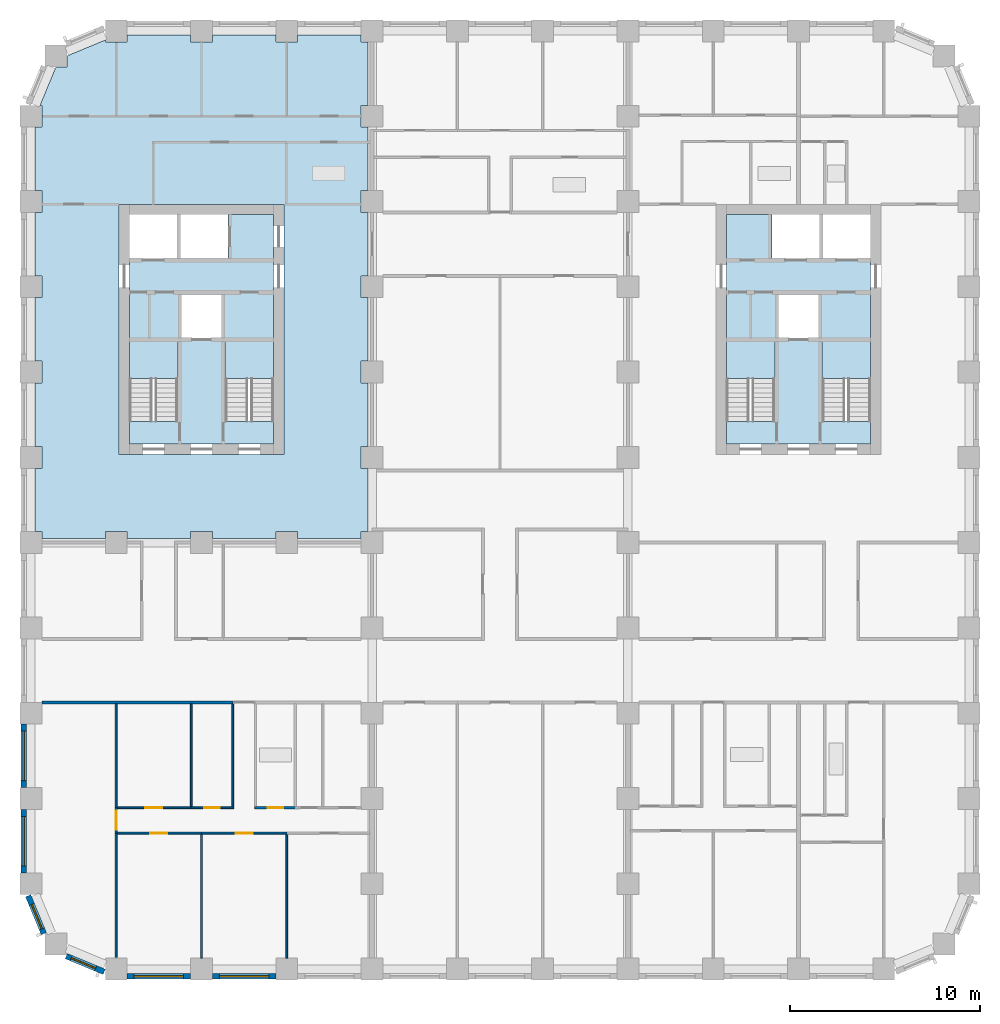
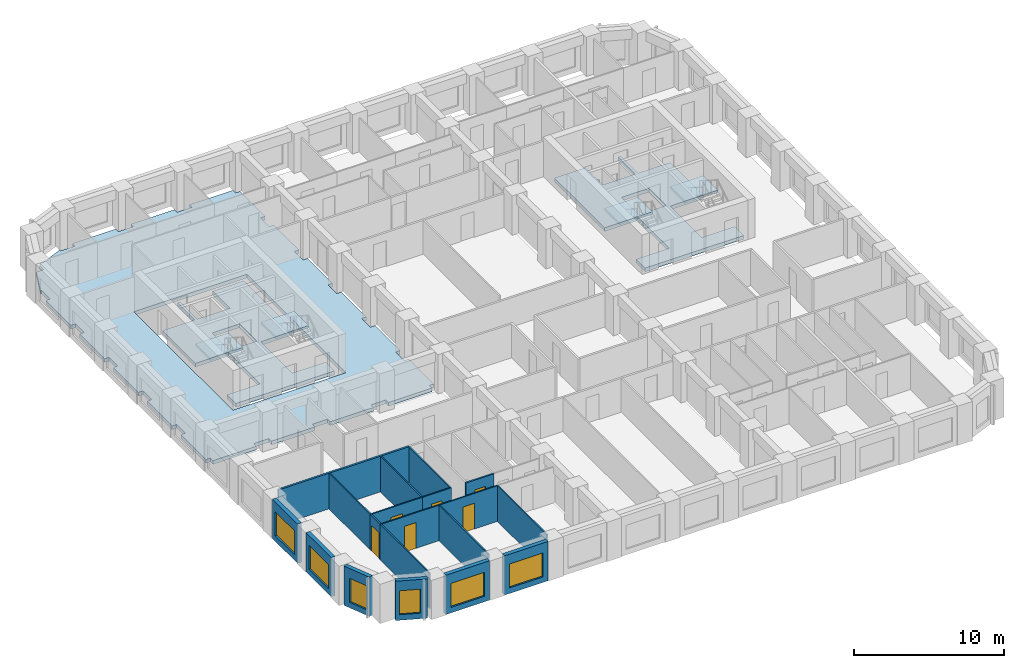
# One storey, part 2 of 13: 19 walls, 7 slabs, 6 doors, 6 windows, 12 openings, 4 elements without a shape of their own.
"""IFC4 building model written with IfcOpenShell, lengths in metres."""

from ifc_helpers import new_model, si_unit, direction, frame, frame_2d, origin, place, context, subcontext, project, spatial, polyline, rectangle, outline, extrude, material, layer, layer_set, type_object, element, fill, aggregate, save


model = new_model("IFC4")

# Units and contexts
model_context = context("Model", 3, precision=1e-05, world=origin(), true_north=direction((0.0, 1.0)))
body_context = subcontext(model_context, "Body", "Model", "MODEL_VIEW")
ifc_project = project(units=[si_unit("LENGTHUNIT", "METRE"), si_unit("AREAUNIT", "SQUARE_METRE"), si_unit("VOLUMEUNIT", "CUBIC_METRE"), si_unit("PLANEANGLEUNIT", "RADIAN"), si_unit("MASSUNIT", "GRAM", prefix="KILO")], contexts=[model_context])

# Site, building, storey
site_placement = place(None, origin())
site = spatial("IfcSite", under=ifc_project, at=site_placement, CompositionType="ELEMENT")
building_placement = place(site_placement, origin())
building = spatial("IfcBuilding", under=site, at=building_placement, Name="Girih Gate Residences", CompositionType="ELEMENT")
storey_placement = place(building_placement, frame((0.0, 0.0, 86.39990234375)))
storey = spatial("IfcBuildingStorey", under=building, at=storey_placement, Name="L23", CompositionType="ELEMENT", Elevation=86.39990234375)

# Slabs
ifc_material_1 = material(Name="Concrete C40/50", Category="concrete")
ifc_layer_1 = layer(ifc_material_1, 0.300048828125)
ifc_layer_set_1 = layer_set([ifc_layer_1], Name="Core floor slab 300")
slab_type_1 = type_object("IfcSlabType", Name="Core floor slab 300", PredefinedType="FLOOR", material=ifc_layer_set_1)
slab_1_placement = place(storey_placement, frame((0.0, 0.0, -0.2998046875)))
element("IfcSlab", 1, at=slab_1_placement, inside=storey, type_object=slab_type_1, Name="L23 W core floor", PredefinedType="FLOOR", context=body_context, shape_type="SweptSolid", body=[
    extrude(outline(polyline([(12.800048828125, 27.699951171875), (5.199951171875, 27.699951171875), (5.199951171875, 28.900634765625), (7.75, 28.900634765625), (7.75, 33.10009765625), (5.199951171875, 33.10009765625), (5.199951171875, 37.5), (7.699951171875, 37.5), (7.699951171875, 39.800048828125), (7.89990234375, 39.800048828125), (7.89990234375, 37.5), (10.39990234375, 37.5), (10.39990234375, 39.800048828125), (12.800048828125, 39.800048828125), (12.800048828125, 33.10009765625), (10.25, 33.10009765625), (10.25, 28.900634765625), (12.800048828125, 28.900634765625), (12.800048828125, 27.699951171875)]), holes=[polyline([(7.949951171875, 33.300048828125), (10.050048828125, 33.300048828125), (10.050048828125, 35.60009765625), (7.949951171875, 35.60009765625), (7.949951171875, 33.300048828125)])]), origin(), (0.0, 0.0, 1.0), 0.2998046875),
])
slab_2_placement = place(storey_placement, frame((0.0, 0.0, -0.2998046875)))
element("IfcSlab", 2, at=slab_2_placement, inside=storey, type_object=slab_type_1, Name="L23 E core floor", PredefinedType="FLOOR", context=body_context, shape_type="SweptSolid", body=[
    extrude(outline(polyline([(44.300048828125, 27.699951171875), (36.699951171875, 27.699951171875), (36.699951171875, 28.900634765625), (39.25, 28.900634765625), (39.25, 33.10009765625), (36.699951171875, 33.10009765625), (36.699951171875, 39.800048828125), (39.10009765625, 39.800048828125), (39.10009765625, 37.5), (41.60009765625, 37.5), (41.60009765625, 39.800048828125), (41.800048828125, 39.800048828125), (41.800048828125, 37.5), (44.300048828125, 37.5), (44.300048828125, 33.10009765625), (41.75, 33.10009765625), (41.75, 28.900634765625), (44.300048828125, 28.900634765625), (44.300048828125, 27.699951171875)]), holes=[polyline([(39.449951171875, 33.300048828125), (41.550048828125, 33.300048828125), (41.550048828125, 35.60009765625), (39.449951171875, 35.60009765625), (39.449951171875, 33.300048828125)])]), origin(), (0.0, 0.0, 1.0), 0.2998046875),
])
ifc_layer_2 = layer(ifc_material_1, 0.300048828125)
ifc_layer_set_2 = layer_set([ifc_layer_2], Name="Floor slab PT 300 Concrete C40/50")
slab_type_2 = type_object("IfcSlabType", Name="Floor slab PT 300 Concrete C40/50", PredefinedType="FLOOR", material=ifc_layer_set_2)
slab_3_placement = place(storey_placement, frame((0.0, 0.0, -0.2998046875)))
element("IfcSlab", 3, at=slab_3_placement, inside=storey, type_object=slab_type_2, Name="Floor slab L23 3", PredefinedType="FLOOR", context=body_context, shape_type="SweptSolid", body=[
    extrude(outline(polyline([(0.22509765625, 26.425048828125), (0.22509765625, 23.074951171875), (0.574951171875, 23.074951171875), (0.574951171875, 22.72509765625), (3.925048828125, 22.72509765625), (3.925048828125, 23.074951171875), (5.074951171875, 23.074951171875), (5.074951171875, 22.72509765625), (8.425048828125, 22.72509765625), (8.425048828125, 23.074951171875), (9.574951171875, 23.074951171875), (9.574951171875, 22.72509765625), (12.925048828125, 22.72509765625), (12.925048828125, 23.074951171875), (14.074951171875, 23.074951171875), (14.074951171875, 22.72509765625), (17.425048828125, 22.72509765625), (17.425048828125, 23.074951171875), (17.77490234375, 23.074951171875), (17.77490234375, 26.425048828125), (17.425048828125, 26.425048828125), (17.425048828125, 27.574951171875), (17.77490234375, 27.574951171875), (17.77490234375, 30.925048828125), (17.425048828125, 30.925048828125), (17.425048828125, 32.074951171875), (17.77490234375, 32.074951171875), (17.77490234375, 35.425048828125), (17.425048828125, 35.425048828125), (17.425048828125, 36.574951171875), (17.77490234375, 36.574951171875), (17.77490234375, 39.925048828125), (17.425048828125, 39.925048828125), (17.425048828125, 41.074951171875), (17.77490234375, 41.074951171875), (17.77490234375, 44.425048828125), (17.425048828125, 44.425048828125), (17.425048828125, 45.574951171875), (17.77490234375, 45.574951171875), (17.77490234375, 48.925048828125), (17.425048828125, 48.925048828125), (17.425048828125, 49.27490234375), (14.074951171875, 49.27490234375), (14.074951171875, 48.925048828125), (12.925048828125, 48.925048828125), (12.925048828125, 49.27490234375), (9.574951171875, 49.27490234375), (9.574951171875, 48.925048828125), (8.425048828125, 48.925048828125), (8.425048828125, 49.27490234375), (5.074951171875, 49.27490234375), (5.074951171875, 48.925048828125), (3.925048828125, 48.925048828125), (3.925048828125, 49.018310546875), (1.89306640625, 48.176513671875), (1.89306640625, 47.60693359375), (1.323486328125, 47.60693359375), (0.481689453125, 45.574951171875), (0.574951171875, 45.574951171875), (0.574951171875, 44.425048828125), (0.22509765625, 44.425048828125), (0.22509765625, 41.074951171875), (0.574951171875, 41.074951171875), (0.574951171875, 39.925048828125), (0.22509765625, 39.925048828125), (0.22509765625, 36.574951171875), (0.574951171875, 36.574951171875), (0.574951171875, 35.425048828125), (0.22509765625, 35.425048828125), (0.22509765625, 32.074951171875), (0.574951171875, 32.074951171875), (0.574951171875, 30.925048828125), (0.22509765625, 30.925048828125), (0.22509765625, 27.574951171875), (0.574951171875, 27.574951171875), (0.574951171875, 26.425048828125), (0.22509765625, 26.425048828125)]), holes=[polyline([(13.35009765625, 40.35009765625), (13.35009765625, 27.14990234375), (4.64990234375, 27.14990234375), (4.64990234375, 40.35009765625), (13.35009765625, 40.35009765625)])]), origin(), (0.0, 0.0, 1.0), 0.2998046875),
])

# Stair, slab
stair_type = type_object("IfcStairType", Name="Exit stair", PredefinedType="HALF_TURN_STAIR", material=ifc_material_1)
stair_1_placement = place(storey_placement, origin())
stair_1 = element("IfcStair", 4, at=stair_1_placement, inside=storey, type_object=stair_type, Name="L23 Exit Stair ST-W1", PredefinedType="HALF_TURN_STAIR")
ifc_layer_3 = layer(ifc_material_1, 0.199951171875)
ifc_layer_set_3 = layer_set([ifc_layer_3], Name="Stair landing 200")
slab_type_3 = type_object("IfcSlabType", Name="Stair landing 200", PredefinedType="LANDING", material=ifc_layer_set_3)
slab_4_placement = place(storey_placement, frame((0.0, 0.0, 1.400146484375)))
slab_4 = element("IfcSlab", 5, at=slab_4_placement, type_object=slab_type_3, Name="ST-W1 landing 1", PredefinedType="LANDING", context=body_context, shape_type="SweptSolid", body=[
    extrude(outline(polyline([(7.75, 31.14990234375), (7.75, 33.10009765625), (5.199951171875, 33.10009765625), (5.199951171875, 31.14990234375), (7.75, 31.14990234375)])), origin(), (0.0, 0.0, 1.0), 0.199951171875),
])
aggregate(stair_1, [slab_4])

stair_2_placement = place(storey_placement, origin())
stair_2 = element("IfcStair", 6, at=stair_2_placement, inside=storey, type_object=stair_type, Name="L23 Exit Stair ST-W2", PredefinedType="HALF_TURN_STAIR")
slab_5_placement = place(storey_placement, frame((0.0, 0.0, 1.400146484375)))
slab_5 = element("IfcSlab", 7, at=slab_5_placement, type_object=slab_type_3, Name="ST-W2 landing 1", PredefinedType="LANDING", context=body_context, shape_type="SweptSolid", body=[
    extrude(outline(polyline([(12.800048828125, 31.14990234375), (12.800048828125, 33.10009765625), (10.25, 33.10009765625), (10.25, 31.14990234375), (12.800048828125, 31.14990234375)])), origin(), (0.0, 0.0, 1.0), 0.199951171875),
])
aggregate(stair_2, [slab_5])

stair_3_placement = place(storey_placement, origin())
stair_3 = element("IfcStair", 8, at=stair_3_placement, inside=storey, type_object=stair_type, Name="L23 Exit Stair ST-E1", PredefinedType="HALF_TURN_STAIR")
slab_6_placement = place(storey_placement, frame((0.0, 0.0, 1.400146484375)))
slab_6 = element("IfcSlab", 9, at=slab_6_placement, type_object=slab_type_3, Name="ST-E1 landing 1", PredefinedType="LANDING", context=body_context, shape_type="SweptSolid", body=[
    extrude(outline(polyline([(44.300048828125, 31.14990234375), (44.300048828125, 33.10009765625), (41.75, 33.10009765625), (41.75, 31.14990234375), (44.300048828125, 31.14990234375)])), origin(), (0.0, 0.0, 1.0), 0.199951171875),
])
aggregate(stair_3, [slab_6])

stair_4_placement = place(storey_placement, origin())
stair_4 = element("IfcStair", 10, at=stair_4_placement, inside=storey, type_object=stair_type, Name="L23 Exit Stair ST-E2", PredefinedType="HALF_TURN_STAIR")
slab_7_placement = place(storey_placement, frame((0.0, 0.0, 1.400146484375)))
slab_7 = element("IfcSlab", 11, at=slab_7_placement, type_object=slab_type_3, Name="ST-E2 landing 1", PredefinedType="LANDING", context=body_context, shape_type="SweptSolid", body=[
    extrude(outline(polyline([(39.25, 31.14990234375), (39.25, 33.10009765625), (36.699951171875, 33.10009765625), (36.699951171875, 31.14990234375), (39.25, 31.14990234375)])), origin(), (0.0, 0.0, 1.0), 0.199951171875),
])
aggregate(stair_4, [slab_7])

# Walls
ifc_material_2 = material(Name="Gypsum board on steel studs", Category="steel")
ifc_layer_4 = layer(ifc_material_2, 0.14990234375)
ifc_layer_set_4 = layer_set([ifc_layer_4], Name="Compartment wall 150 mm")
wall_type_1 = type_object("IfcWallType", Name="Compartment wall 150 mm", PredefinedType="PARTITIONING", material=ifc_layer_set_4)
wall_1_placement = place(storey_placement, frame((0.574951171875, 14.074951171875, 0.0), z_axis=(0.0, 0.0, 1.0), x_axis=(1.0, 0.0, 0.0)))
element("IfcWall", 12, at=wall_1_placement, inside=storey, type_object=wall_type_1, Name="L23 partition", PredefinedType="PARTITIONING", context=body_context, shape_type="SweptSolid", body=[
    extrude(rectangle(XDim=10.074951171875, YDim=0.14990234375, at=frame_2d((5.03759765625, 0.0))), origin(), (0.0, 0.0, 1.0), 2.900146484375),
])
ifc_layer_5 = layer(ifc_material_2, 0.10009765625)
ifc_layer_set_5 = layer_set([ifc_layer_5], Name="Partition 100 mm")
wall_type_2 = type_object("IfcWallType", Name="Partition 100 mm", PredefinedType="PARTITIONING", material=ifc_layer_set_5)
wall_2_placement = place(storey_placement, frame((9.0, 0.574951171875, 0.0), z_axis=(0.0, 0.0, 1.0), x_axis=(0.0, 1.0, 0.0)))
element("IfcWall", 13, at=wall_2_placement, inside=storey, type_object=wall_type_2, Name="L23 partition", PredefinedType="PARTITIONING", context=body_context, shape_type="SweptSolid", body=[
    extrude(rectangle(XDim=6.550048828125, YDim=0.10009765625, at=frame_2d((3.27490234375, 0.0))), origin(), (0.0, 0.0, 1.0), 2.900146484375),
])

# Wall, opening, door
wall_3_placement = place(storey_placement, frame((9.0, 7.175048828125, 0.0), z_axis=(0.0, 0.0, 1.0), x_axis=(-1.0, 0.0, 0.0)))
wall_3 = element("IfcWall", 14, at=wall_3_placement, inside=storey, type_object=wall_type_2, Name="L23 partition", PredefinedType="PARTITIONING", context=body_context, shape_type="SweptSolid", body=[
    extrude(rectangle(XDim=4.449951171875, YDim=0.10009765625, at=frame_2d((2.22509765625, 0.0))), origin(), (0.0, 0.0, 1.0), 2.900146484375),
])
opening_1_placement = place(wall_3_placement, frame((1.800048828125, 0.0, 0.0)))
opening_1 = element("IfcOpeningElement", 15, at=opening_1_placement, cuts=wall_3, Name="Opening A23-002", PredefinedType="OPENING", context=body_context, shape_type="SweptSolid", body=[
    extrude(rectangle(XDim=0.89990234375, YDim=2.10009765625, at=frame_2d((0.449951171875, 1.050048828125))), frame((0.0, 0.06005859375, 0.0), z_axis=(0.0, -1.0, 0.0), x_axis=(1.0, 0.0, 0.0)), (0.0, 0.0, 1.0), 0.1201171875),
])
ifc_material_3 = material(Name="Timber", Category="wood")
door_type_1 = type_object("IfcDoorType", Name="Bedroom door 900x2100", OperationType="NOTDEFINED", PredefinedType="DOOR", material=ifc_material_3)
door_1_placement = place(opening_1_placement, origin())
door_1 = element("IfcDoor", 16, at=door_1_placement, inside=storey, type_object=door_type_1, Name="Door A23-002", OperationType="SINGLE_SWING_RIGHT", OverallHeight=2.10009765625, OverallWidth=0.89990234375, PredefinedType="DOOR", context=body_context, shape_type="SweptSolid", body=[
    extrude(rectangle(XDim=0.89990234375, YDim=2.10009765625, at=frame_2d((0.449951171875, 1.050048828125))), frame((0.0, 0.02490234375, 0.0), z_axis=(0.0, -1.0, 0.0), x_axis=(1.0, 0.0, 0.0)), (0.0, 0.0, 1.0), 0.050048828125),
])
fill(opening_1, door_1)

# Walls
wall_4_placement = place(storey_placement, frame((4.5, 0.622314453125, 0.0), z_axis=(0.0, 0.0, 1.0), x_axis=(0.0, 1.0, 0.0)))
element("IfcWall", 17, at=wall_4_placement, inside=storey, type_object=wall_type_2, Name="L23 partition", PredefinedType="PARTITIONING", context=body_context, shape_type="SweptSolid", body=[
    extrude(rectangle(XDim=6.552734375, YDim=0.10009765625, at=frame_2d((3.2763671875, 0.0))), origin(), (0.0, 0.0, 1.0), 2.900146484375),
])
wall_5_placement = place(storey_placement, frame((13.5, 0.574951171875, 0.0), z_axis=(0.0, 0.0, 1.0), x_axis=(0.0, 1.0, 0.0)))
element("IfcWall", 18, at=wall_5_placement, inside=storey, type_object=wall_type_2, Name="L23 partition", PredefinedType="PARTITIONING", context=body_context, shape_type="SweptSolid", body=[
    extrude(rectangle(XDim=6.550048828125, YDim=0.10009765625, at=frame_2d((3.27490234375, 0.0))), origin(), (0.0, 0.0, 1.0), 2.900146484375),
])

# Wall, opening, door
wall_6_placement = place(storey_placement, frame((13.5, 7.175048828125, 0.0), z_axis=(0.0, 0.0, 1.0), x_axis=(-1.0, 0.0, 0.0)))
wall_6 = element("IfcWall", 19, at=wall_6_placement, inside=storey, type_object=wall_type_2, Name="L23 partition", PredefinedType="PARTITIONING", context=body_context, shape_type="SweptSolid", body=[
    extrude(rectangle(XDim=4.5, YDim=0.10009765625, at=frame_2d((2.25, 0.0))), origin(), (0.0, 0.0, 1.0), 2.900146484375),
])
opening_2_placement = place(wall_6_placement, frame((1.800048828125, 0.0, 0.0)))
opening_2 = element("IfcOpeningElement", 20, at=opening_2_placement, cuts=wall_6, Name="Opening A23-003", PredefinedType="OPENING", context=body_context, shape_type="SweptSolid", body=[
    extrude(rectangle(XDim=0.89990234375, YDim=2.10009765625, at=frame_2d((0.449951171875, 1.050048828125))), frame((0.0, 0.06005859375, 0.0), z_axis=(0.0, -1.0, 0.0), x_axis=(1.0, 0.0, 0.0)), (0.0, 0.0, 1.0), 0.1201171875),
])
door_2_placement = place(opening_2_placement, origin())
door_2 = element("IfcDoor", 21, at=door_2_placement, inside=storey, type_object=door_type_1, Name="Door A23-003", OperationType="SINGLE_SWING_LEFT", OverallHeight=2.10009765625, OverallWidth=0.89990234375, PredefinedType="DOOR", context=body_context, shape_type="SweptSolid", body=[
    extrude(rectangle(XDim=0.89990234375, YDim=2.10009765625, at=frame_2d((0.449951171875, 1.050048828125))), frame((0.0, 0.02490234375, 0.0), z_axis=(0.0, -1.0, 0.0), x_axis=(1.0, 0.0, 0.0)), (0.0, 0.0, 1.0), 0.050048828125),
])
fill(opening_2, door_2)

wall_7_placement = place(storey_placement, frame((4.550048828125, 8.514892578125, 0.0), z_axis=(0.0, 0.0, 1.0), x_axis=(1.0, 0.0, 0.0)))
wall_7 = element("IfcWall", 22, at=wall_7_placement, inside=storey, type_object=wall_type_2, Name="L23 partition", PredefinedType="PARTITIONING", context=body_context, shape_type="SweptSolid", body=[
    extrude(rectangle(XDim=3.9130859375, YDim=0.10009765625, at=frame_2d((1.95654296875, 0.0))), origin(), (0.0, 0.0, 1.0), 2.900146484375),
])
opening_3_placement = place(wall_7_placement, frame((1.481689453125, 0.0, 0.0)))
opening_3 = element("IfcOpeningElement", 23, at=opening_3_placement, cuts=wall_7, Name="Opening A23-006", PredefinedType="OPENING", context=body_context, shape_type="SweptSolid", body=[
    extrude(rectangle(XDim=0.89990234375, YDim=2.10009765625, at=frame_2d((0.449951171875, 1.050048828125))), frame((0.0, 0.06005859375, 0.0), z_axis=(0.0, -1.0, 0.0), x_axis=(1.0, 0.0, 0.0)), (0.0, 0.0, 1.0), 0.1201171875),
])
door_type_2 = type_object("IfcDoorType", Name="Kitchen door 900x2100", OperationType="NOTDEFINED", PredefinedType="DOOR", material=ifc_material_3)
door_3_placement = place(opening_3_placement, origin())
door_3 = element("IfcDoor", 24, at=door_3_placement, inside=storey, type_object=door_type_2, Name="Door A23-006", OperationType="SINGLE_SWING_LEFT", OverallHeight=2.10009765625, OverallWidth=0.89990234375, PredefinedType="DOOR", context=body_context, shape_type="SweptSolid", body=[
    extrude(rectangle(XDim=0.89990234375, YDim=2.10009765625, at=frame_2d((0.449951171875, 1.050048828125))), frame((0.0, 0.02490234375, 0.0), z_axis=(0.0, -1.0, 0.0), x_axis=(1.0, 0.0, 0.0)), (0.0, 0.0, 1.0), 0.050048828125),
])
fill(opening_3, door_3)

wall_8_placement = place(storey_placement, frame((4.5, 7.175048828125, 0.0), z_axis=(0.0, 0.0, 1.0), x_axis=(0.0, 1.0, 0.0)))
wall_8 = element("IfcWall", 25, at=wall_8_placement, inside=storey, type_object=wall_type_2, Name="L23 partition", PredefinedType="PARTITIONING", context=body_context, shape_type="SweptSolid", body=[
    extrude(rectangle(XDim=1.33984375, YDim=0.10009765625, at=frame_2d((0.669921875, 0.0))), origin(), (0.0, 0.0, 1.0), 2.900146484375),
])
opening_4_placement = place(wall_8_placement, frame((0.169921875, 0.0, 0.0)))
opening_4 = element("IfcOpeningElement", 26, at=opening_4_placement, cuts=wall_8, Name="Opening A23-007", PredefinedType="OPENING", context=body_context, shape_type="SweptSolid", body=[
    extrude(rectangle(XDim=1.0, YDim=2.10009765625, at=frame_2d((0.5, 1.050048828125))), frame((0.0, 0.06005859375, 0.0), z_axis=(0.0, -1.0, 0.0), x_axis=(1.0, 0.0, 0.0)), (0.0, 0.0, 1.0), 0.1201171875),
])
door_type_3 = type_object("IfcDoorType", Name="Living room door 1000x2100", OperationType="NOTDEFINED", PredefinedType="DOOR", material=ifc_material_3)
door_4_placement = place(opening_4_placement, origin())
door_4 = element("IfcDoor", 27, at=door_4_placement, inside=storey, type_object=door_type_3, Name="Door A23-007", OperationType="SINGLE_SWING_LEFT", OverallHeight=2.10009765625, OverallWidth=1.0, PredefinedType="DOOR", context=body_context, shape_type="SweptSolid", body=[
    extrude(rectangle(XDim=1.0, YDim=2.10009765625, at=frame_2d((0.5, 1.050048828125))), frame((0.0, 0.02490234375, 0.0), z_axis=(0.0, -1.0, 0.0), x_axis=(1.0, 0.0, 0.0)), (0.0, 0.0, 1.0), 0.050048828125),
])
fill(opening_4, door_4)

wall_9_placement = place(storey_placement, frame((8.463134765625, 8.514892578125, 0.0), z_axis=(0.0, 0.0, 1.0), x_axis=(1.0, 0.0, 0.0)))
wall_9 = element("IfcWall", 28, at=wall_9_placement, inside=storey, type_object=wall_type_2, Name="L23 partition", PredefinedType="PARTITIONING", context=body_context, shape_type="SweptSolid", body=[
    extrude(rectangle(XDim=2.23681640625, YDim=0.10009765625, at=frame_2d((1.118408203125, 0.0))), origin(), (0.0, 0.0, 1.0), 2.900146484375),
])
opening_5_placement = place(wall_9_placement, frame((0.693359375, 0.0, 0.0)))
opening_5 = element("IfcOpeningElement", 29, at=opening_5_placement, cuts=wall_9, Name="Opening A23-009", PredefinedType="OPENING", context=body_context, shape_type="SweptSolid", body=[
    extrude(rectangle(XDim=0.800048828125, YDim=2.10009765625, at=frame_2d((0.39990234375, 1.050048828125))), frame((0.0, 0.06005859375, 0.0), z_axis=(0.0, -1.0, 0.0), x_axis=(1.0, 0.0, 0.0)), (0.0, 0.0, 1.0), 0.1201171875),
])
door_type_4 = type_object("IfcDoorType", Name="Store door 800x2100", OperationType="NOTDEFINED", PredefinedType="DOOR", material=ifc_material_3)
door_5_placement = place(opening_5_placement, origin())
door_5 = element("IfcDoor", 30, at=door_5_placement, inside=storey, type_object=door_type_4, Name="Door A23-009", OperationType="SINGLE_SWING_LEFT", OverallHeight=2.10009765625, OverallWidth=0.800048828125, PredefinedType="DOOR", context=body_context, shape_type="SweptSolid", body=[
    extrude(rectangle(XDim=0.800048828125, YDim=2.10009765625, at=frame_2d((0.39990234375, 1.050048828125))), frame((0.0, 0.02490234375, 0.0), z_axis=(0.0, -1.0, 0.0), x_axis=(1.0, 0.0, 0.0)), (0.0, 0.0, 1.0), 0.050048828125),
])
fill(opening_5, door_5)

# Walls
wall_10_placement = place(storey_placement, frame((10.64990234375, 8.56494140625, 0.0), z_axis=(0.0, 0.0, 1.0), x_axis=(0.0, 1.0, 0.0)))
element("IfcWall", 31, at=wall_10_placement, inside=storey, type_object=wall_type_2, Name="L23 partition", PredefinedType="PARTITIONING", context=body_context, shape_type="SweptSolid", body=[
    extrude(rectangle(XDim=5.43505859375, YDim=0.10009765625, at=frame_2d((2.717529296875, 0.0))), origin(), (0.0, 0.0, 1.0), 2.900146484375),
])
wall_11_placement = place(storey_placement, frame((4.5, 8.514892578125, 0.0), z_axis=(0.0, 0.0, 1.0), x_axis=(0.0, 1.0, 0.0)))
element("IfcWall", 32, at=wall_11_placement, inside=storey, type_object=wall_type_2, Name="L23 partition", PredefinedType="PARTITIONING", context=body_context, shape_type="SweptSolid", body=[
    extrude(rectangle(XDim=5.485107421875, YDim=0.10009765625, at=frame_2d((2.74267578125, 0.0))), origin(), (0.0, 0.0, 1.0), 2.900146484375),
])
wall_12_placement = place(storey_placement, frame((8.462890625, 8.56494140625, 0.0), z_axis=(0.0, 0.0, 1.0), x_axis=(0.0, 1.0, 0.0)))
element("IfcWall", 33, at=wall_12_placement, inside=storey, type_object=wall_type_2, Name="L23 partition", PredefinedType="PARTITIONING", context=body_context, shape_type="SweptSolid", body=[
    extrude(rectangle(XDim=5.43505859375, YDim=0.10009765625, at=frame_2d((2.717529296875, 0.0))), origin(), (0.0, 0.0, 1.0), 2.900146484375),
])

# Wall, opening, window
ifc_material_4 = material(Name="Precast concrete C50/60", Category="concrete")
ifc_layer_6 = layer(ifc_material_4, 0.080078125, Name="Outer leaf")
ifc_material_5 = material(Name="Rigid PIR insulation")
ifc_layer_7 = layer(ifc_material_5, 0.14990234375, Name="Insulation")
ifc_material_6 = material(Name="Precast concrete C40/50", Category="concrete")
ifc_layer_8 = layer(ifc_material_6, 0.070068359375, Name="Inner leaf")
ifc_layer_set_6 = layer_set([ifc_layer_6, ifc_layer_7, ifc_layer_8], Name="Precast concrete C50/60 external wall 300")
wall_type_3 = type_object("IfcWallType", Name="Precast concrete C50/60 external wall 300", PredefinedType="SOLIDWALL", material=ifc_layer_set_6)
wall_13_placement = place(storey_placement, frame((0.68408203125, 1.86865234375, 0.0), z_axis=(0.0, 0.0, 1.0), x_axis=(-0.382723818695, 0.923862802911, 0.0)))
wall_13 = element("IfcWall", 34, at=wall_13_placement, inside=storey, type_object=wall_type_3, Name="External wall SW0000_0045.0", PredefinedType="SOLIDWALL", context=body_context, shape_type="SweptSolid", body=[
    extrude(rectangle(XDim=2.163818359375, YDim=0.300048828125, at=frame_2d((1.08203125, 0.0))), origin(), (0.0, 0.0, 1.0), 3.2001953125),
])
opening_6_placement = place(wall_13_placement, frame((0.270751953125, 0.0, 0.449951171875)))
opening_6 = element("IfcOpeningElement", 35, at=opening_6_placement, cuts=wall_13, Name="Opening W-2D", PredefinedType="OPENING", context=body_context, shape_type="SweptSolid", body=[
    extrude(rectangle(XDim=1.39990234375, YDim=1.949951171875, at=frame_2d((0.699951171875, 0.97509765625))), frame((0.0, 0.159912109375, 0.0), z_axis=(0.0, -1.0, 0.0), x_axis=(1.0, 0.0, 0.0)), (0.0, 0.0, 1.0), 0.320068359375),
])
ifc_material_7 = material(Name="Double glazing in aluminium frame", Category="aluminium")
window_type_1 = type_object("IfcWindowType", Name="Window W-2D 1400x1950", PartitioningType="SINGLE_PANEL", PredefinedType="WINDOW", material=ifc_material_7)
window_1_placement = place(opening_6_placement, origin())
window_1 = element("IfcWindow", 36, at=window_1_placement, inside=storey, type_object=window_type_1, Name="Window W-2D SW0000_0045.0", OverallHeight=1.949951171875, OverallWidth=1.39990234375, PartitioningType="SINGLE_PANEL", PredefinedType="WINDOW", context=body_context, shape_type="SweptSolid", body=[
    extrude(rectangle(XDim=1.39990234375, YDim=1.949951171875, at=frame_2d((0.699951171875, 0.97509765625))), frame((0.0, 0.030029296875, 0.0), z_axis=(0.0, -1.0, 0.0), x_axis=(1.0, 0.0, 0.0)), (0.0, 0.0, 1.0), 0.06005859375),
])
fill(opening_6, window_1)

wall_14_placement = place(storey_placement, frame((3.86767578125, -0.14404296875, 0.0), z_axis=(0.0, 0.0, 1.0), x_axis=(-0.923862802911, 0.382723818695, 0.0)))
wall_14 = element("IfcWall", 37, at=wall_14_placement, inside=storey, type_object=wall_type_3, Name="External wall SW0013_0013.0", PredefinedType="SOLIDWALL", context=body_context, shape_type="SweptSolid", body=[
    extrude(rectangle(XDim=2.163818359375, YDim=0.300048828125, at=frame_2d((1.08203125, 0.0))), origin(), (0.0, 0.0, 1.0), 3.2001953125),
])
opening_7_placement = place(wall_14_placement, frame((0.492919921875, 0.0, 0.449951171875)))
opening_7 = element("IfcOpeningElement", 38, at=opening_7_placement, cuts=wall_14, Name="Opening W-2D", PredefinedType="OPENING", context=body_context, shape_type="SweptSolid", body=[
    extrude(rectangle(XDim=1.39990234375, YDim=1.949951171875, at=frame_2d((0.699951171875, 0.97509765625))), frame((0.0, 0.159912109375, 0.0), z_axis=(0.0, -1.0, 0.0), x_axis=(1.0, 0.0, 0.0)), (0.0, 0.0, 1.0), 0.320068359375),
])
window_2_placement = place(opening_7_placement, origin())
window_2 = element("IfcWindow", 39, at=window_2_placement, inside=storey, type_object=window_type_1, Name="Window W-2D SW0013_0013.0", OverallHeight=1.949951171875, OverallWidth=1.39990234375, PartitioningType="SINGLE_PANEL", PredefinedType="WINDOW", context=body_context, shape_type="SweptSolid", body=[
    extrude(rectangle(XDim=1.39990234375, YDim=1.949951171875, at=frame_2d((0.699951171875, 0.97509765625))), frame((0.0, 0.030029296875, 0.0), z_axis=(0.0, -1.0, 0.0), x_axis=(1.0, 0.0, 0.0)), (0.0, 0.0, 1.0), 0.06005859375),
])
fill(opening_7, window_2)

wall_15_placement = place(storey_placement, frame((8.425048828125, -0.375, 0.0), z_axis=(0.0, 0.0, 1.0), x_axis=(-1.0, 0.0, 0.0)))
wall_15 = element("IfcWall", 40, at=wall_15_placement, inside=storey, type_object=wall_type_3, Name="External wall S0045_0000.0", PredefinedType="SOLIDWALL", context=body_context, shape_type="SweptSolid", body=[
    extrude(rectangle(XDim=3.35009765625, YDim=0.300048828125, at=frame_2d((1.675048828125, 0.0))), origin(), (0.0, 0.0, 1.0), 3.2001953125),
])
opening_8_placement = place(wall_15_placement, frame((0.375, 0.0, 0.449951171875)))
opening_8 = element("IfcOpeningElement", 41, at=opening_8_placement, cuts=wall_15, Name="Opening W-1A", PredefinedType="OPENING", context=body_context, shape_type="SweptSolid", body=[
    extrude(rectangle(XDim=2.60009765625, YDim=1.949951171875, at=frame_2d((1.300048828125, 0.97509765625))), frame((0.0, 0.159912109375, 0.0), z_axis=(0.0, -1.0, 0.0), x_axis=(1.0, 0.0, 0.0)), (0.0, 0.0, 1.0), 0.320068359375),
])
window_type_2 = type_object("IfcWindowType", Name="Window W-1A 2600x1950", PartitioningType="SINGLE_PANEL", PredefinedType="WINDOW", material=ifc_material_7)
window_3_placement = place(opening_8_placement, origin())
window_3 = element("IfcWindow", 42, at=window_3_placement, inside=storey, type_object=window_type_2, Name="Window W-1A S0045_0000.0", OverallHeight=1.949951171875, OverallWidth=2.60009765625, PartitioningType="SINGLE_PANEL", PredefinedType="WINDOW", context=body_context, shape_type="SweptSolid", body=[
    extrude(rectangle(XDim=2.60009765625, YDim=1.949951171875, at=frame_2d((1.300048828125, 0.97509765625))), frame((0.0, 0.030029296875, 0.0), z_axis=(0.0, -1.0, 0.0), x_axis=(1.0, 0.0, 0.0)), (0.0, 0.0, 1.0), 0.06005859375),
])
fill(opening_8, window_3)

wall_16_placement = place(storey_placement, frame((12.925048828125, -0.375, 0.0), z_axis=(0.0, 0.0, 1.0), x_axis=(-1.0, 0.0, 0.0)))
wall_16 = element("IfcWall", 43, at=wall_16_placement, inside=storey, type_object=wall_type_3, Name="External wall S0045_0000.1", PredefinedType="SOLIDWALL", context=body_context, shape_type="SweptSolid", body=[
    extrude(rectangle(XDim=3.35009765625, YDim=0.300048828125, at=frame_2d((1.675048828125, 0.0))), origin(), (0.0, 0.0, 1.0), 3.2001953125),
])
opening_9_placement = place(wall_16_placement, frame((0.375, 0.0, 0.449951171875)))
opening_9 = element("IfcOpeningElement", 44, at=opening_9_placement, cuts=wall_16, Name="Opening W-1A", PredefinedType="OPENING", context=body_context, shape_type="SweptSolid", body=[
    extrude(rectangle(XDim=2.60009765625, YDim=1.949951171875, at=frame_2d((1.300048828125, 0.97509765625))), frame((0.0, 0.159912109375, 0.0), z_axis=(0.0, -1.0, 0.0), x_axis=(1.0, 0.0, 0.0)), (0.0, 0.0, 1.0), 0.320068359375),
])
window_4_placement = place(opening_9_placement, origin())
window_4 = element("IfcWindow", 45, at=window_4_placement, inside=storey, type_object=window_type_2, Name="Window W-1A S0045_0000.1", OverallHeight=1.949951171875, OverallWidth=2.60009765625, PartitioningType="SINGLE_PANEL", PredefinedType="WINDOW", context=body_context, shape_type="SweptSolid", body=[
    extrude(rectangle(XDim=2.60009765625, YDim=1.949951171875, at=frame_2d((1.300048828125, 0.97509765625))), frame((0.0, 0.030029296875, 0.0), z_axis=(0.0, -1.0, 0.0), x_axis=(1.0, 0.0, 0.0)), (0.0, 0.0, 1.0), 0.06005859375),
])
fill(opening_9, window_4)

wall_17_placement = place(storey_placement, frame((-0.375, 9.574951171875, 0.0), z_axis=(0.0, 0.0, 1.0), x_axis=(0.0, 1.0, 0.0)))
wall_17 = element("IfcWall", 46, at=wall_17_placement, inside=storey, type_object=wall_type_3, Name="External wall W0000_0450.7", PredefinedType="SOLIDWALL", context=body_context, shape_type="SweptSolid", body=[
    extrude(rectangle(XDim=3.35009765625, YDim=0.300048828125, at=frame_2d((1.675048828125, 0.0))), origin(), (0.0, 0.0, 1.0), 3.2001953125),
])
opening_10_placement = place(wall_17_placement, frame((0.375, 0.0, 0.449951171875)))
opening_10 = element("IfcOpeningElement", 47, at=opening_10_placement, cuts=wall_17, Name="Opening W-1A", PredefinedType="OPENING", context=body_context, shape_type="SweptSolid", body=[
    extrude(rectangle(XDim=2.60009765625, YDim=1.949951171875, at=frame_2d((1.300048828125, 0.97509765625))), frame((0.0, 0.159912109375, 0.0), z_axis=(0.0, -1.0, 0.0), x_axis=(1.0, 0.0, 0.0)), (0.0, 0.0, 1.0), 0.320068359375),
])
window_5_placement = place(opening_10_placement, origin())
window_5 = element("IfcWindow", 48, at=window_5_placement, inside=storey, type_object=window_type_2, Name="Window W-1A W0000_0450.7", OverallHeight=1.949951171875, OverallWidth=2.60009765625, PartitioningType="SINGLE_PANEL", PredefinedType="WINDOW", context=body_context, shape_type="SweptSolid", body=[
    extrude(rectangle(XDim=2.60009765625, YDim=1.949951171875, at=frame_2d((1.300048828125, 0.97509765625))), frame((0.0, 0.030029296875, 0.0), z_axis=(0.0, -1.0, 0.0), x_axis=(1.0, 0.0, 0.0)), (0.0, 0.0, 1.0), 0.06005859375),
])
fill(opening_10, window_5)

wall_18_placement = place(storey_placement, frame((-0.375, 5.074951171875, 0.0), z_axis=(0.0, 0.0, 1.0), x_axis=(0.0, 1.0, 0.0)))
wall_18 = element("IfcWall", 49, at=wall_18_placement, inside=storey, type_object=wall_type_3, Name="External wall W0000_0450.8", PredefinedType="SOLIDWALL", context=body_context, shape_type="SweptSolid", body=[
    extrude(rectangle(XDim=3.35009765625, YDim=0.300048828125, at=frame_2d((1.675048828125, 0.0))), origin(), (0.0, 0.0, 1.0), 3.2001953125),
])
opening_11_placement = place(wall_18_placement, frame((0.375, 0.0, 0.449951171875)))
opening_11 = element("IfcOpeningElement", 50, at=opening_11_placement, cuts=wall_18, Name="Opening W-1A", PredefinedType="OPENING", context=body_context, shape_type="SweptSolid", body=[
    extrude(rectangle(XDim=2.60009765625, YDim=1.949951171875, at=frame_2d((1.300048828125, 0.97509765625))), frame((0.0, 0.159912109375, 0.0), z_axis=(0.0, -1.0, 0.0), x_axis=(1.0, 0.0, 0.0)), (0.0, 0.0, 1.0), 0.320068359375),
])
window_6_placement = place(opening_11_placement, origin())
window_6 = element("IfcWindow", 51, at=window_6_placement, inside=storey, type_object=window_type_2, Name="Window W-1A W0000_0450.8", OverallHeight=1.949951171875, OverallWidth=2.60009765625, PartitioningType="SINGLE_PANEL", PredefinedType="WINDOW", context=body_context, shape_type="SweptSolid", body=[
    extrude(rectangle(XDim=2.60009765625, YDim=1.949951171875, at=frame_2d((1.300048828125, 0.97509765625))), frame((0.0, 0.030029296875, 0.0), z_axis=(0.0, -1.0, 0.0), x_axis=(1.0, 0.0, 0.0)), (0.0, 0.0, 1.0), 0.06005859375),
])
fill(opening_11, window_6)

# Wall, opening, door
ifc_layer_9 = layer(ifc_material_2, 0.125)
ifc_layer_set_7 = layer_set([ifc_layer_9], Name="Wet room wall 125 mm")
wall_type_4 = type_object("IfcWallType", Name="Wet room wall 125 mm", PredefinedType="PARTITIONING", material=ifc_layer_set_7)
wall_19_placement = place(storey_placement, frame((11.78759765625, 8.514892578125, 0.0), z_axis=(0.0, 0.0, 1.0), x_axis=(1.0, 0.0, 0.0)))
wall_19 = element("IfcWall", 52, at=wall_19_placement, inside=storey, type_object=wall_type_4, Name="L23 partition", PredefinedType="PARTITIONING", context=body_context, shape_type="SweptSolid", body=[
    extrude(rectangle(XDim=2.166259765625, YDim=0.125, at=frame_2d((1.0830078125, 0.0))), origin(), (0.0, 0.0, 1.0), 2.900146484375),
])
opening_12_placement = place(wall_19_placement, frame((0.714599609375, 0.0, 0.0)))
opening_12 = element("IfcOpeningElement", 53, at=opening_12_placement, cuts=wall_19, Name="Opening A23-001", PredefinedType="OPENING", context=body_context, shape_type="SweptSolid", body=[
    extrude(rectangle(XDim=0.800048828125, YDim=2.10009765625, at=frame_2d((0.39990234375, 1.050048828125))), frame((0.0, 0.072509765625, 0.0), z_axis=(0.0, -1.0, 0.0), x_axis=(1.0, 0.0, 0.0)), (0.0, 0.0, 1.0), 0.14501953125),
])
door_type_5 = type_object("IfcDoorType", Name="Bathroom door 800x2100", OperationType="NOTDEFINED", PredefinedType="DOOR", material=ifc_material_3)
door_6_placement = place(opening_12_placement, origin())
door_6 = element("IfcDoor", 54, at=door_6_placement, inside=storey, type_object=door_type_5, Name="Door A23-001", OperationType="SINGLE_SWING_RIGHT", OverallHeight=2.10009765625, OverallWidth=0.800048828125, PredefinedType="DOOR", context=body_context, shape_type="SweptSolid", body=[
    extrude(rectangle(XDim=0.800048828125, YDim=2.10009765625, at=frame_2d((0.39990234375, 1.050048828125))), frame((0.0, 0.02490234375, 0.0), z_axis=(0.0, -1.0, 0.0), x_axis=(1.0, 0.0, 0.0)), (0.0, 0.0, 1.0), 0.050048828125),
])
fill(opening_12, door_6)

save(model, "model.ifc")
